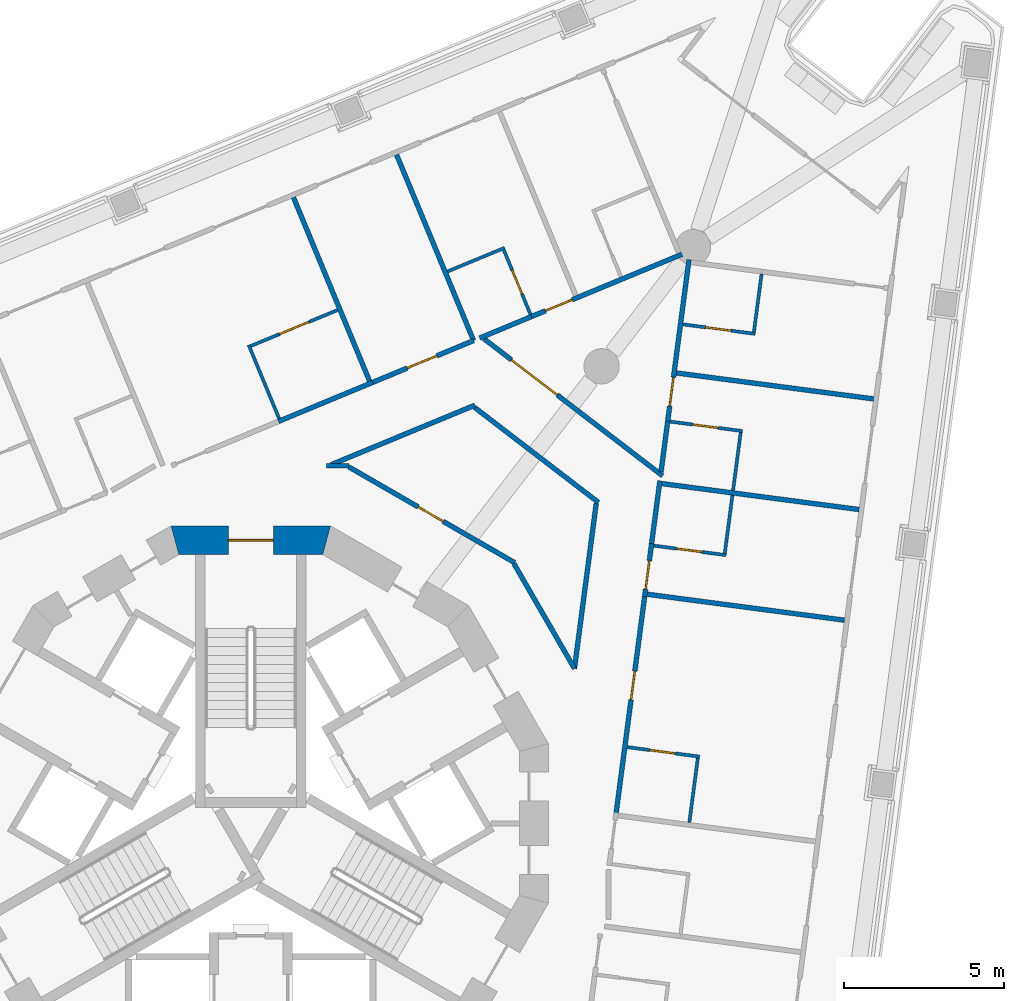
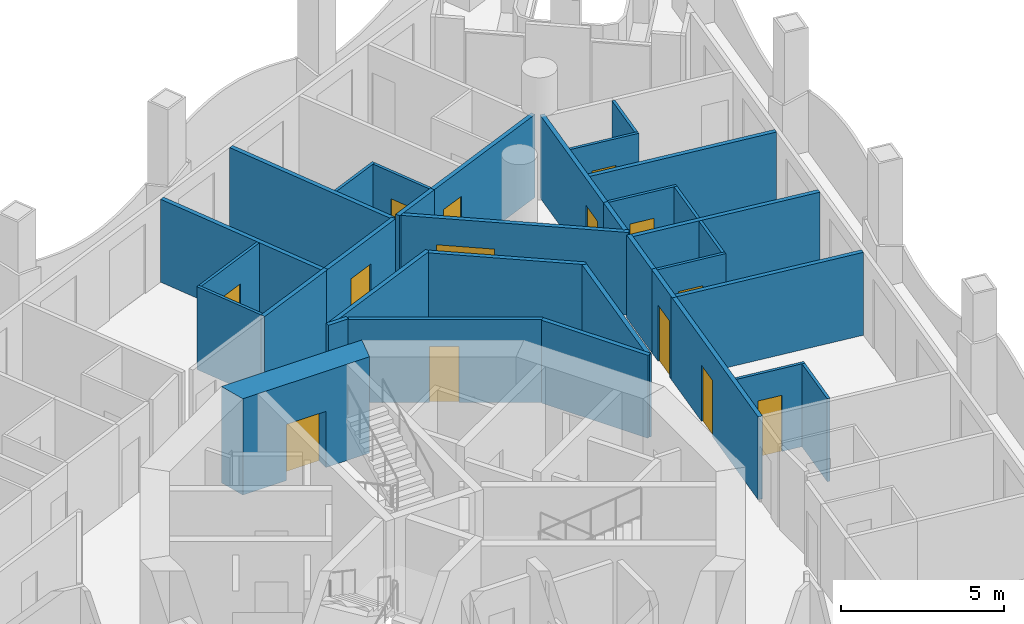
# One storey, part 9 of 17: 34 walls, 14 doors, 14 openings.
"""IFC4 building model written with IfcOpenShell, lengths in metres."""

from ifc_helpers import new_model, si_unit, direction, frame, frame_2d, origin, place, context, subcontext, project, spatial, polyline, rectangle, outline, extrude, material, layer, layer_set, type_object, element, fill, save


model = new_model("IFC4")

# Units and contexts
model_context = context("Model", 3, precision=1e-05, world=origin(), true_north=direction((0.0, 1.0)))
body_context = subcontext(model_context, "Body", "Model", "MODEL_VIEW")
ifc_project = project(units=[si_unit("LENGTHUNIT", "METRE"), si_unit("AREAUNIT", "SQUARE_METRE"), si_unit("VOLUMEUNIT", "CUBIC_METRE"), si_unit("PLANEANGLEUNIT", "RADIAN"), si_unit("MASSUNIT", "GRAM", prefix="KILO")], contexts=[model_context])

# Site, building, storey
site_placement = place(None, origin())
site = spatial("IfcSite", under=ifc_project, at=site_placement, CompositionType="ELEMENT")
building_placement = place(site_placement, origin())
building = spatial("IfcBuilding", under=site, at=building_placement, Name="Trine Commons Tower", CompositionType="ELEMENT")
storey_placement = place(building_placement, frame((0.0, 0.0, 153.0)))
storey = spatial("IfcBuildingStorey", under=building, at=storey_placement, Name="L39", CompositionType="ELEMENT", Elevation=153.0)

# Wall, opening, door
ifc_material_1 = material(Name="Concrete C70/85", Category="concrete")
ifc_layer_1 = layer(ifc_material_1, 0.89990234375)
ifc_layer_set_1 = layer_set([ifc_layer_1], Name="Concrete C70/85")
wall_type_1 = type_object("IfcWallType", Name="RC shear wall 900 mm, C70/85", PredefinedType="SHEAR", material=ifc_layer_set_1)
wall_1_placement = place(storey_placement, frame((82.484619140625, 71.322998046875, 0.0), z_axis=(0.0, 0.0, 1.0), x_axis=(-1.0, 0.0, 0.0)))
wall_1 = element("IfcWall", 1, at=wall_1_placement, inside=storey, type_object=wall_type_1, Name="Core wall CWD-04 L39", PredefinedType="SHEAR", context=body_context, shape_type="SweptSolid", body=[
    extrude(outline(polyline([(0.0, -0.449951171875), (4.969482421875, -0.449951171875), (4.728271484375, 0.449951171875), (0.2412109375, 0.449951171875), (0.0, -0.449951171875)])), origin(), (0.0, 0.0, 1.0), 3.60009765625),
])
opening_1_placement = place(wall_1_placement, frame((1.78466796875, 0.0, 0.0)))
opening_1 = element("IfcOpeningElement", 2, at=opening_1_placement, cuts=wall_1, Name="Opening K10.01", PredefinedType="OPENING", context=body_context, shape_type="SweptSolid", body=[
    extrude(rectangle(XDim=1.39990234375, YDim=2.10009765625, at=frame_2d((0.699951171875, 1.050048828125))), frame((0.0, 0.4599609375, 0.0), z_axis=(0.0, -1.0, 0.0), x_axis=(1.0, 0.0, 0.0)), (0.0, 0.0, 1.0), 0.919921875),
])
ifc_material_2 = material(Name="Steel door leaves, fire-rated", Category="steel")
door_type_1 = type_object("IfcDoorType", Name="Stair door, double leaf 1400 x 2100, FD90", OperationType="DOUBLE_DOOR_SINGLE_SWING", PredefinedType="DOOR", material=ifc_material_2)
door_1_placement = place(opening_1_placement, origin())
door_1 = element("IfcDoor", 3, at=door_1_placement, inside=storey, type_object=door_type_1, Name="Stair door to Exit stair ST1B L39", OperationType="DOUBLE_DOOR_SINGLE_SWING", OverallHeight=2.10009765625, OverallWidth=1.39990234375, PredefinedType="DOOR", context=body_context, shape_type="SweptSolid", body=[
    extrude(rectangle(XDim=1.39990234375, YDim=2.10009765625, at=frame_2d((0.699951171875, 1.050048828125))), frame((0.0, 0.02490234375, 0.0), z_axis=(0.0, -1.0, 0.0), x_axis=(1.0, 0.0, 0.0)), (0.0, 0.0, 1.0), 0.050048828125),
])
fill(opening_1, door_1)

# Walls
ifc_material_3 = material(Name="Gypsum plasterboard on steel stud", Category="steel")
ifc_layer_2 = layer(ifc_material_3, 0.14990234375)
ifc_layer_set_2 = layer_set([ifc_layer_2], Name="Gypsum plasterboard on steel stud")
wall_type_2 = type_object("IfcWallType", Name="Unit and corridor wall 150 mm, EI 60", PredefinedType="PARTITIONING", material=ifc_layer_set_2)
wall_2_placement = place(storey_placement, frame((80.86181640625, 75.02685546875, 0.0), z_axis=(0.0, 0.0, 1.0), x_axis=(0.923792409305, 0.382893698709, 0.0)))
element("IfcWall", 4, at=wall_2_placement, inside=storey, type_object=wall_type_2, Name="Partition 075", PredefinedType="PARTITIONING", context=body_context, shape_type="SweptSolid", body=[
    extrude(rectangle(XDim=3.18310546875, YDim=0.14990234375, at=frame_2d((1.591552734375, 0.0))), origin(), (0.0, 0.0, 1.0), 3.10009765625),
])
wall_3_placement = place(storey_placement, frame((81.329345703125, 82.007080078125, 0.0), z_axis=(0.0, 0.0, 1.0), x_axis=(0.382731197273, -0.923859746192, 0.0)))
element("IfcWall", 5, at=wall_3_placement, inside=storey, type_object=wall_type_2, Name="Partition 076", PredefinedType="PARTITIONING", context=body_context, shape_type="SweptSolid", body=[
    extrude(rectangle(XDim=6.194580078125, YDim=0.14990234375, at=frame_2d((3.09716796875, 0.0))), origin(), (0.0, 0.0, 1.0), 3.10009765625),
])
wall_4_placement = place(storey_placement, frame((82.35205078125, 73.64794921875, 0.0), z_axis=(0.0, 0.0, 1.0), x_axis=(1.0, 0.0, 0.0)))
element("IfcWall", 6, at=wall_4_placement, inside=storey, type_object=wall_type_2, Name="Partition 080", PredefinedType="PARTITIONING", context=body_context, shape_type="SweptSolid", body=[
    extrude(rectangle(XDim=0.7099609375, YDim=0.14990234375, at=frame_2d((0.35498046875, 0.0))), origin(), (0.0, 0.0, 1.0), 3.10009765625),
])
wall_5_placement = place(storey_placement, frame((82.500244140625, 73.6767578125, 0.0), z_axis=(0.0, 0.0, 1.0), x_axis=(0.923900404771, 0.382633038384, 0.0)))
element("IfcWall", 7, at=wall_5_placement, inside=storey, type_object=wall_type_2, Name="Partition 081", PredefinedType="PARTITIONING", context=body_context, shape_type="SweptSolid", body=[
    extrude(rectangle(XDim=4.855712890625, YDim=0.14990234375, at=frame_2d((2.427734375, 0.0))), origin(), (0.0, 0.0, 1.0), 3.10009765625),
])

# Wall, opening, door
wall_6_placement = place(storey_placement, frame((83.052001953125, 73.610595703125, 0.0), z_axis=(0.0, 0.0, 1.0), x_axis=(0.866039280689, -0.499975963725, 0.0)))
wall_6 = element("IfcWall", 8, at=wall_6_placement, inside=storey, type_object=wall_type_2, Name="Partition 084", PredefinedType="PARTITIONING", context=body_context, shape_type="SweptSolid", body=[
    extrude(rectangle(XDim=5.974365234375, YDim=0.14990234375, at=frame_2d((2.9873046875, 0.0))), origin(), (0.0, 0.0, 1.0), 3.10009765625),
])
opening_2_placement = place(wall_6_placement, frame((2.499755859375, 0.0, 0.0)))
opening_2 = element("IfcOpeningElement", 9, at=opening_2_placement, cuts=wall_6, Name="Opening D-4C34", PredefinedType="OPENING", context=body_context, shape_type="SweptSolid", body=[
    extrude(rectangle(XDim=0.89990234375, YDim=2.10009765625, at=frame_2d((0.449951171875, 1.050048828125))), frame((0.0, 0.0849609375, 0.0), z_axis=(0.0, -1.0, 0.0), x_axis=(1.0, 0.0, 0.0)), (0.0, 0.0, 1.0), 0.169921875),
])
ifc_material_4 = material(Name="Timber fire door set", Category="wood")
door_type_2 = type_object("IfcDoorType", Name="Service door 900 x 2100, FD30S", OperationType="NOTDEFINED", PredefinedType="DOOR", material=ifc_material_4)
door_2_placement = place(opening_2_placement, origin())
door_2 = element("IfcDoor", 10, at=door_2_placement, inside=storey, type_object=door_type_2, Name="Door D-4C34", OperationType="SINGLE_SWING_LEFT", OverallHeight=2.10009765625, OverallWidth=0.89990234375, PredefinedType="DOOR", context=body_context, shape_type="SweptSolid", body=[
    extrude(rectangle(XDim=0.89990234375, YDim=2.10009765625, at=frame_2d((0.449951171875, 1.050048828125))), frame((0.0, 0.02490234375, 0.0), z_axis=(0.0, -1.0, 0.0), x_axis=(1.0, 0.0, 0.0)), (0.0, 0.0, 1.0), 0.050048828125),
])
fill(opening_2, door_2)

wall_7_placement = place(storey_placement, frame((83.72509765625, 76.212890625, 0.0), z_axis=(0.0, 0.0, 1.0), x_axis=(0.923773530594, 0.382939243449, 0.0)))
wall_7 = element("IfcWall", 11, at=wall_7_placement, inside=storey, type_object=wall_type_2, Name="Partition 087", PredefinedType="PARTITIONING", context=body_context, shape_type="SweptSolid", body=[
    extrude(rectangle(XDim=3.48681640625, YDim=0.14990234375, at=frame_2d((1.743408203125, 0.0))), origin(), (0.0, 0.0, 1.0), 3.10009765625),
])
opening_3_placement = place(wall_7_placement, frame((1.243408203125, 0.0, 0.0)))
opening_3 = element("IfcOpeningElement", 12, at=opening_3_placement, cuts=wall_7, Name="Opening D-4C11", PredefinedType="OPENING", context=body_context, shape_type="SweptSolid", body=[
    extrude(rectangle(XDim=1.0, YDim=2.10009765625, at=frame_2d((0.5, 1.050048828125))), frame((0.0, 0.0849609375, 0.0), z_axis=(0.0, -1.0, 0.0), x_axis=(1.0, 0.0, 0.0)), (0.0, 0.0, 1.0), 0.169921875),
])
ifc_material_5 = material(Name="Painted timber", Category="wood")
door_type_3 = type_object("IfcDoorType", Name="Amenity room door 1000 x 2100, NOT RATED", OperationType="NOTDEFINED", PredefinedType="DOOR", material=ifc_material_5)
door_3_placement = place(opening_3_placement, origin())
door_3 = element("IfcDoor", 13, at=door_3_placement, inside=storey, type_object=door_type_3, Name="Door D-4C11", OperationType="SINGLE_SWING_LEFT", OverallHeight=2.10009765625, OverallWidth=1.0, PredefinedType="DOOR", context=body_context, shape_type="SweptSolid", body=[
    extrude(rectangle(XDim=1.0, YDim=2.10009765625, at=frame_2d((0.5, 1.050048828125))), frame((0.0, 0.02490234375, 0.0), z_axis=(0.0, -1.0, 0.0), x_axis=(1.0, 0.0, 0.0)), (0.0, 0.0, 1.0), 0.050048828125),
])
fill(opening_3, door_3)

# Walls
wall_8_placement = place(storey_placement, frame((84.542236328125, 83.337890625, 0.0), z_axis=(0.0, 0.0, 1.0), x_axis=(0.382756471404, -0.923849275368, 0.0)))
element("IfcWall", 14, at=wall_8_placement, inside=storey, type_object=wall_type_2, Name="Partition 091", PredefinedType="PARTITIONING", context=body_context, shape_type="SweptSolid", body=[
    extrude(rectangle(XDim=6.26953125, YDim=0.14990234375, at=frame_2d((3.134765625, 0.0))), origin(), (0.0, 0.0, 1.0), 3.10009765625),
])
wall_9_placement = place(storey_placement, frame((86.9765625, 75.46044921875, 0.0), z_axis=(0.0, 0.0, 1.0), x_axis=(0.79343006196, -0.608661430335, 0.0)))
element("IfcWall", 15, at=wall_9_placement, inside=storey, type_object=wall_type_2, Name="Partition 095", PredefinedType="PARTITIONING", context=body_context, shape_type="SweptSolid", body=[
    extrude(rectangle(XDim=4.85986328125, YDim=0.14990234375, at=frame_2d((2.429931640625, 0.0))), origin(), (0.0, 0.0, 1.0), 3.10009765625),
])
wall_10_placement = place(storey_placement, frame((87.130615234375, 77.624267578125, 0.0), z_axis=(0.0, 0.0, 1.0), x_axis=(0.923855258764, 0.382742029118, 0.0)))
element("IfcWall", 16, at=wall_10_placement, inside=storey, type_object=wall_type_2, Name="Partition 096", PredefinedType="PARTITIONING", context=body_context, shape_type="SweptSolid", body=[
    extrude(rectangle(XDim=1.749755859375, YDim=0.14990234375, at=frame_2d((0.875, 0.0))), origin(), (0.0, 0.0, 1.0), 3.10009765625),
])

# Wall, opening, door
wall_11_placement = place(storey_placement, frame((87.259521484375, 77.607421875, 0.0), z_axis=(0.0, 0.0, 1.0), x_axis=(0.79336631803, -0.608744515718, 0.0)))
wall_11 = element("IfcWall", 17, at=wall_11_placement, inside=storey, type_object=wall_type_2, Name="Partition 097", PredefinedType="PARTITIONING", context=body_context, shape_type="SweptSolid", body=[
    extrude(rectangle(XDim=7.0244140625, YDim=0.14990234375, at=frame_2d((3.51220703125, 0.0))), origin(), (0.0, 0.0, 1.0), 3.10009765625),
])
opening_4_placement = place(wall_11_placement, frame((1.086181640625, 0.0, 0.0)))
opening_4 = element("IfcOpeningElement", 18, at=opening_4_placement, cuts=wall_11, Name="Opening D-4C01", PredefinedType="OPENING", context=body_context, shape_type="SweptSolid", body=[
    extrude(rectangle(XDim=1.800048828125, YDim=2.10009765625, at=frame_2d((0.89990234375, 1.050048828125))), frame((0.0, 0.0849609375, 0.0), z_axis=(0.0, -1.0, 0.0), x_axis=(1.0, 0.0, 0.0)), (0.0, 0.0, 1.0), 0.169921875),
])
door_type_4 = type_object("IfcDoorType", Name="Cluster entrance door 1800 x 2100, double leaf, FD30S", OperationType="DOUBLE_DOOR_DOUBLE_SWING", PredefinedType="DOOR", material=ifc_material_4)
door_4_placement = place(opening_4_placement, origin())
door_4 = element("IfcDoor", 19, at=door_4_placement, inside=storey, type_object=door_type_4, Name="Door D-4C01", OperationType="DOUBLE_DOOR_DOUBLE_SWING", OverallHeight=2.10009765625, OverallWidth=1.800048828125, PredefinedType="DOOR", context=body_context, shape_type="SweptSolid", body=[
    extrude(rectangle(XDim=1.800048828125, YDim=2.10009765625, at=frame_2d((0.89990234375, 1.050048828125))), frame((0.0, 0.02490234375, 0.0), z_axis=(0.0, -1.0, 0.0), x_axis=(1.0, 0.0, 0.0)), (0.0, 0.0, 1.0), 0.050048828125),
])
fill(opening_4, door_4)

# Wall
wall_12_placement = place(storey_placement, frame((88.198486328125, 70.595947265625, 0.0), z_axis=(0.0, 0.0, 1.0), x_axis=(0.499871635049, -0.86609950264, 0.0)))
element("IfcWall", 20, at=wall_12_placement, inside=storey, type_object=wall_type_2, Name="Partition 104", PredefinedType="PARTITIONING", context=body_context, shape_type="SweptSolid", body=[
    extrude(rectangle(XDim=3.77783203125, YDim=0.14990234375, at=frame_2d((1.888916015625, 0.0))), origin(), (0.0, 0.0, 1.0), 3.10009765625),
])

# Wall, opening, door
wall_13_placement = place(storey_placement, frame((88.69287109375, 78.27197265625, 0.0), z_axis=(0.0, 0.0, 1.0), x_axis=(0.92395946552, 0.382490399978, 0.0)))
wall_13 = element("IfcWall", 21, at=wall_13_placement, inside=storey, type_object=wall_type_2, Name="Partition 108", PredefinedType="PARTITIONING", context=body_context, shape_type="SweptSolid", body=[
    extrude(rectangle(XDim=5.1337890625, YDim=0.14990234375, at=frame_2d((2.56689453125, 0.0))), origin(), (0.0, 0.0, 1.0), 3.10009765625),
])
opening_5_placement = place(wall_13_placement, frame((0.531494140625, 0.0, 0.0)))
opening_5 = element("IfcOpeningElement", 22, at=opening_5_placement, cuts=wall_13, Name="Opening D-4C12", PredefinedType="OPENING", context=body_context, shape_type="SweptSolid", body=[
    extrude(rectangle(XDim=0.89990234375, YDim=2.10009765625, at=frame_2d((0.449951171875, 1.050048828125))), frame((0.0, 0.0849609375, 0.0), z_axis=(0.0, -1.0, 0.0), x_axis=(1.0, 0.0, 0.0)), (0.0, 0.0, 1.0), 0.169921875),
])
door_type_5 = type_object("IfcDoorType", Name="Bedroom door 900 x 2100, FD30S", OperationType="NOTDEFINED", PredefinedType="DOOR", material=ifc_material_4)
door_5_placement = place(opening_5_placement, origin())
door_5 = element("IfcDoor", 23, at=door_5_placement, inside=storey, type_object=door_type_5, Name="Door D-4C12", OperationType="SINGLE_SWING_LEFT", OverallHeight=2.10009765625, OverallWidth=0.89990234375, PredefinedType="DOOR", context=body_context, shape_type="SweptSolid", body=[
    extrude(rectangle(XDim=0.89990234375, YDim=2.10009765625, at=frame_2d((0.449951171875, 1.050048828125))), frame((0.0, 0.02490234375, 0.0), z_axis=(0.0, -1.0, 0.0), x_axis=(1.0, 0.0, 0.0)), (0.0, 0.0, 1.0), 0.050048828125),
])
fill(opening_5, door_5)

# Wall
wall_14_placement = place(storey_placement, frame((90.0849609375, 67.326904296875, 0.0), z_axis=(0.0, 0.0, 1.0), x_axis=(0.130647942506, 0.991428825039, 0.0)))
element("IfcWall", 24, at=wall_14_placement, inside=storey, type_object=wall_type_2, Name="Partition 115", PredefinedType="PARTITIONING", context=body_context, shape_type="SweptSolid", body=[
    extrude(rectangle(XDim=5.191162109375, YDim=0.14990234375, at=frame_2d((2.595703125, 0.0))), origin(), (0.0, 0.0, 1.0), 3.10009765625),
])

# Wall, opening, door
wall_15_placement = place(storey_placement, frame((91.3740234375, 62.751953125, 0.0), z_axis=(0.0, 0.0, 1.0), x_axis=(0.130544309052, 0.991442476079, 0.0)))
wall_15 = element("IfcWall", 25, at=wall_15_placement, inside=storey, type_object=wall_type_2, Name="Partition 127", PredefinedType="PARTITIONING", context=body_context, shape_type="SweptSolid", body=[
    extrude(rectangle(XDim=6.962646484375, YDim=0.14990234375, at=frame_2d((3.4814453125, 0.0))), origin(), (0.0, 0.0, 1.0), 3.10009765625),
])
opening_6_placement = place(wall_15_placement, frame((3.6318359375, 0.0, 0.0)))
opening_6 = element("IfcOpeningElement", 26, at=opening_6_placement, cuts=wall_15, Name="Opening D-4C17", PredefinedType="OPENING", context=body_context, shape_type="SweptSolid", body=[
    extrude(rectangle(XDim=0.89990234375, YDim=2.10009765625, at=frame_2d((0.449951171875, 1.050048828125))), frame((0.0, 0.0849609375, 0.0), z_axis=(0.0, -1.0, 0.0), x_axis=(1.0, 0.0, 0.0)), (0.0, 0.0, 1.0), 0.169921875),
])
door_6_placement = place(opening_6_placement, frame((0.89990234375, 0.0, 0.0), z_axis=(0.0, 0.0, 1.0), x_axis=(-1.0, 0.0, 0.0)))
door_6 = element("IfcDoor", 27, at=door_6_placement, inside=storey, type_object=door_type_5, Name="Door D-4C17", OperationType="SINGLE_SWING_LEFT", OverallHeight=2.10009765625, OverallWidth=0.89990234375, PredefinedType="DOOR", context=body_context, shape_type="SweptSolid", body=[
    extrude(rectangle(XDim=0.89990234375, YDim=2.10009765625, at=frame_2d((0.449951171875, 1.050048828125))), frame((0.0, 0.02490234375, 0.0), z_axis=(0.0, -1.0, 0.0), x_axis=(1.0, 0.0, 0.0)), (0.0, 0.0, 1.0), 0.050048828125),
])
fill(opening_6, door_6)

wall_16_placement = place(storey_placement, frame((92.272216796875, 69.572509765625, 0.0), z_axis=(0.0, 0.0, 1.0), x_axis=(0.130218790516, 0.991485283096, 0.0)))
wall_16 = element("IfcWall", 28, at=wall_16_placement, inside=storey, type_object=wall_type_2, Name="Partition 131", PredefinedType="PARTITIONING", context=body_context, shape_type="SweptSolid", body=[
    extrude(rectangle(XDim=1.6611328125, YDim=0.14990234375, at=frame_2d((0.83056640625, 0.0))), origin(), (0.0, 0.0, 1.0), 3.10009765625),
])
opening_7_placement = place(wall_16_placement, frame((0.22900390625, 0.0, 0.0)))
opening_7 = element("IfcOpeningElement", 29, at=opening_7_placement, cuts=wall_16, Name="Opening D-4C16", PredefinedType="OPENING", context=body_context, shape_type="SweptSolid", body=[
    extrude(rectangle(XDim=0.89990234375, YDim=2.10009765625, at=frame_2d((0.449951171875, 1.050048828125))), frame((0.0, 0.0849609375, 0.0), z_axis=(0.0, -1.0, 0.0), x_axis=(1.0, 0.0, 0.0)), (0.0, 0.0, 1.0), 0.169921875),
])
door_7_placement = place(opening_7_placement, frame((0.89990234375, 0.0, 0.0), z_axis=(0.0, 0.0, 1.0), x_axis=(-1.0, 0.0, 0.0)))
door_7 = element("IfcDoor", 30, at=door_7_placement, inside=storey, type_object=door_type_5, Name="Door D-4C16", OperationType="SINGLE_SWING_RIGHT", OverallHeight=2.10009765625, OverallWidth=0.89990234375, PredefinedType="DOOR", context=body_context, shape_type="SweptSolid", body=[
    extrude(rectangle(XDim=0.89990234375, YDim=2.10009765625, at=frame_2d((0.449951171875, 1.050048828125))), frame((0.0, 0.02490234375, 0.0), z_axis=(0.0, -1.0, 0.0), x_axis=(1.0, 0.0, 0.0)), (0.0, 0.0, 1.0), 0.050048828125),
])
fill(opening_7, door_7)

# Walls
wall_17_placement = place(storey_placement, frame((92.357421875, 69.64111328125, 0.0), z_axis=(0.0, 0.0, 1.0), x_axis=(0.991457381012, -0.130431060858, 0.0)))
element("IfcWall", 31, at=wall_17_placement, inside=storey, type_object=wall_type_2, Name="Partition 132", PredefinedType="PARTITIONING", context=body_context, shape_type="SweptSolid", body=[
    extrude(rectangle(XDim=6.19384765625, YDim=0.14990234375, at=frame_2d((3.096923828125, 0.0))), origin(), (0.0, 0.0, 1.0), 3.10009765625),
])
wall_18_placement = place(storey_placement, frame((92.48095703125, 71.162109375, 0.0), z_axis=(0.0, 0.0, 1.0), x_axis=(0.130786921313, 0.991410500859, 0.0)))
element("IfcWall", 32, at=wall_18_placement, inside=storey, type_object=wall_type_2, Name="Partition 133", PredefinedType="PARTITIONING", context=body_context, shape_type="SweptSolid", body=[
    extrude(rectangle(XDim=2.032958984375, YDim=0.14990234375, at=frame_2d((1.0166015625, 0.0))), origin(), (0.0, 0.0, 1.0), 3.10009765625),
])
wall_19_placement = place(storey_placement, frame((92.811279296875, 73.089111328125, 0.0), z_axis=(0.0, 0.0, 1.0), x_axis=(0.991458051546, -0.130425963766, 0.0)))
element("IfcWall", 33, at=wall_19_placement, inside=storey, type_object=wall_type_2, Name="Partition 136", PredefinedType="PARTITIONING", context=body_context, shape_type="SweptSolid", body=[
    extrude(rectangle(XDim=6.194091796875, YDim=0.14990234375, at=frame_2d((3.09716796875, 0.0))), origin(), (0.0, 0.0, 1.0), 3.10009765625),
])
wall_20_placement = place(storey_placement, frame((92.78271484375, 73.451416015625, 0.0), z_axis=(0.0, 0.0, 1.0), x_axis=(0.130312245432, 0.991473004519, 0.0)))
element("IfcWall", 34, at=wall_20_placement, inside=storey, type_object=wall_type_2, Name="Partition 139", PredefinedType="PARTITIONING", context=body_context, shape_type="SweptSolid", body=[
    extrude(rectangle(XDim=1.59814453125, YDim=0.14990234375, at=frame_2d((0.799072265625, 0.0))), origin(), (0.0, 0.0, 1.0), 3.10009765625),
])

# Wall, opening, door
wall_21_placement = place(storey_placement, frame((92.9833984375, 74.978515625, 0.0), z_axis=(0.0, 0.0, 1.0), x_axis=(0.130587368937, 0.991436805386, 0.0)))
wall_21 = element("IfcWall", 35, at=wall_21_placement, inside=storey, type_object=wall_type_2, Name="Partition 140", PredefinedType="PARTITIONING", context=body_context, shape_type="SweptSolid", body=[
    extrude(rectangle(XDim=5.1337890625, YDim=0.14990234375, at=frame_2d((2.56689453125, 0.0))), origin(), (0.0, 0.0, 1.0), 3.10009765625),
])
opening_8_placement = place(wall_21_placement, frame((0.531982421875, 0.0, 0.0)))
opening_8 = element("IfcOpeningElement", 36, at=opening_8_placement, cuts=wall_21, Name="Opening D-4C15", PredefinedType="OPENING", context=body_context, shape_type="SweptSolid", body=[
    extrude(rectangle(XDim=0.89990234375, YDim=2.10009765625, at=frame_2d((0.449951171875, 1.050048828125))), frame((0.0, 0.0849609375, 0.0), z_axis=(0.0, -1.0, 0.0), x_axis=(1.0, 0.0, 0.0)), (0.0, 0.0, 1.0), 0.169921875),
])
door_8_placement = place(opening_8_placement, frame((0.89990234375, 0.0, 0.0), z_axis=(0.0, 0.0, 1.0), x_axis=(-1.0, 0.0, 0.0)))
door_8 = element("IfcDoor", 37, at=door_8_placement, inside=storey, type_object=door_type_5, Name="Door D-4C15", OperationType="SINGLE_SWING_RIGHT", OverallHeight=2.10009765625, OverallWidth=0.89990234375, PredefinedType="DOOR", context=body_context, shape_type="SweptSolid", body=[
    extrude(rectangle(XDim=0.89990234375, YDim=2.10009765625, at=frame_2d((0.449951171875, 1.050048828125))), frame((0.0, 0.02490234375, 0.0), z_axis=(0.0, -1.0, 0.0), x_axis=(1.0, 0.0, 0.0)), (0.0, 0.0, 1.0), 0.050048828125),
])
fill(opening_8, door_8)

# Walls
wall_22_placement = place(storey_placement, frame((93.264404296875, 76.537109375, 0.0), z_axis=(0.0, 0.0, 1.0), x_axis=(0.991439668145, -0.130565632649, 0.0)))
element("IfcWall", 38, at=wall_22_placement, inside=storey, type_object=wall_type_2, Name="Partition 142", PredefinedType="PARTITIONING", context=body_context, shape_type="SweptSolid", body=[
    extrude(rectangle(XDim=6.19482421875, YDim=0.14990234375, at=frame_2d((3.097412109375, 0.0))), origin(), (0.0, 0.0, 1.0), 3.10009765625),
])
ifc_layer_3 = layer(ifc_material_3, 0.10009765625)
ifc_layer_set_3 = layer_set([ifc_layer_3], Name="Gypsum plasterboard on steel stud")
wall_type_3 = type_object("IfcWallType", Name="Unit partition 100 mm, no rating", PredefinedType="PARTITIONING", material=ifc_layer_set_3)
wall_23_placement = place(storey_placement, frame((79.934814453125, 77.404296875, 0.0), z_axis=(0.0, 0.0, 1.0), x_axis=(0.382737922871, -0.923856959922, 0.0)))
element("IfcWall", 39, at=wall_23_placement, inside=storey, type_object=wall_type_3, Name="Partition 072", PredefinedType="PARTITIONING", context=body_context, shape_type="SweptSolid", body=[
    extrude(rectangle(XDim=2.4755859375, YDim=0.10009765625, at=frame_2d((1.23779296875, 0.0))), origin(), (0.0, 0.0, 1.0), 3.10009765625),
])

# Wall, opening, door
wall_24_placement = place(storey_placement, frame((80.000244140625, 77.377197265625, 0.0), z_axis=(0.0, 0.0, 1.0), x_axis=(0.923906972489, 0.382617179681, 0.0)))
wall_24 = element("IfcWall", 40, at=wall_24_placement, inside=storey, type_object=wall_type_3, Name="Partition 073", PredefinedType="PARTITIONING", context=body_context, shape_type="SweptSolid", body=[
    extrude(rectangle(XDim=2.925048828125, YDim=0.10009765625, at=frame_2d((1.46240234375, 0.0))), origin(), (0.0, 0.0, 1.0), 3.10009765625),
])
opening_9_placement = place(wall_24_placement, frame((0.962646484375, 0.0, 0.0)))
opening_9 = element("IfcOpeningElement", 41, at=opening_9_placement, cuts=wall_24, Name="Opening D-4C43", PredefinedType="OPENING", context=body_context, shape_type="SweptSolid", body=[
    extrude(rectangle(XDim=1.0, YDim=2.10009765625, at=frame_2d((0.5, 1.050048828125))), frame((0.0, 0.06005859375, 0.0), z_axis=(0.0, -1.0, 0.0), x_axis=(1.0, 0.0, 0.0)), (0.0, 0.0, 1.0), 0.1201171875),
])
door_type_6 = type_object("IfcDoorType", Name="Internal door 1000 x 2100, NOT RATED", OperationType="NOTDEFINED", PredefinedType="DOOR", material=ifc_material_5)
door_9_placement = place(opening_9_placement, origin())
door_9 = element("IfcDoor", 42, at=door_9_placement, inside=storey, type_object=door_type_6, Name="Door D-4C43", OperationType="SINGLE_SWING_RIGHT", OverallHeight=2.10009765625, OverallWidth=1.0, PredefinedType="DOOR", context=body_context, shape_type="SweptSolid", body=[
    extrude(rectangle(XDim=1.0, YDim=2.10009765625, at=frame_2d((0.5, 1.050048828125))), frame((0.0, 0.02490234375, 0.0), z_axis=(0.0, -1.0, 0.0), x_axis=(1.0, 0.0, 0.0)), (0.0, 0.0, 1.0), 0.050048828125),
])
fill(opening_9, door_9)

# Wall
wall_25_placement = place(storey_placement, frame((86.13037109375, 79.69970703125, 0.0), z_axis=(0.0, 0.0, 1.0), x_axis=(0.923967386518, 0.38247126513, 0.0)))
element("IfcWall", 43, at=wall_25_placement, inside=storey, type_object=wall_type_3, Name="Partition 094", PredefinedType="PARTITIONING", context=body_context, shape_type="SweptSolid", body=[
    extrude(rectangle(XDim=1.92529296875, YDim=0.10009765625, at=frame_2d((0.962646484375, 0.0))), origin(), (0.0, 0.0, 1.0), 3.10009765625),
])

# Wall, opening, door
wall_26_placement = place(storey_placement, frame((87.882080078125, 80.370849609375, 0.0), z_axis=(0.0, 0.0, 1.0), x_axis=(0.382645891508, -0.92389508155, 0.0)))
wall_26 = element("IfcWall", 44, at=wall_26_placement, inside=storey, type_object=wall_type_3, Name="Partition 102", PredefinedType="PARTITIONING", context=body_context, shape_type="SweptSolid", body=[
    extrude(rectangle(XDim=2.175048828125, YDim=0.10009765625, at=frame_2d((1.08740234375, 0.0))), origin(), (0.0, 0.0, 1.0), 3.10009765625),
])
opening_10_placement = place(wall_26_placement, frame((0.6875, 0.0, 0.0)))
opening_10 = element("IfcOpeningElement", 45, at=opening_10_placement, cuts=wall_26, Name="Opening D-4C44", PredefinedType="OPENING", context=body_context, shape_type="SweptSolid", body=[
    extrude(rectangle(XDim=0.800048828125, YDim=2.10009765625, at=frame_2d((0.39990234375, 1.050048828125))), frame((0.0, 0.06005859375, 0.0), z_axis=(0.0, -1.0, 0.0), x_axis=(1.0, 0.0, 0.0)), (0.0, 0.0, 1.0), 0.1201171875),
])
door_type_7 = type_object("IfcDoorType", Name="Internal door 800 x 2100, NOT RATED", OperationType="NOTDEFINED", PredefinedType="DOOR", material=ifc_material_5)
door_10_placement = place(opening_10_placement, origin())
door_10 = element("IfcDoor", 46, at=door_10_placement, inside=storey, type_object=door_type_7, Name="Door D-4C44", OperationType="SINGLE_SWING_RIGHT", OverallHeight=2.10009765625, OverallWidth=0.800048828125, PredefinedType="DOOR", context=body_context, shape_type="SweptSolid", body=[
    extrude(rectangle(XDim=0.800048828125, YDim=2.10009765625, at=frame_2d((0.39990234375, 1.050048828125))), frame((0.0, 0.02490234375, 0.0), z_axis=(0.0, -1.0, 0.0), x_axis=(1.0, 0.0, 0.0)), (0.0, 0.0, 1.0), 0.050048828125),
])
fill(opening_10, door_10)

wall_27_placement = place(storey_placement, frame((91.7294921875, 64.878173828125, 0.0), z_axis=(0.0, 0.0, 1.0), x_axis=(0.991411518653, -0.130779205848, 0.0)))
wall_27 = element("IfcWall", 47, at=wall_27_placement, inside=storey, type_object=wall_type_3, Name="Partition 130", PredefinedType="PARTITIONING", context=body_context, shape_type="SweptSolid", body=[
    extrude(rectangle(XDim=2.275634765625, YDim=0.10009765625, at=frame_2d((1.1376953125, 0.0))), origin(), (0.0, 0.0, 1.0), 3.10009765625),
])
opening_11_placement = place(wall_27_placement, frame((0.712890625, 0.0, 0.0)))
opening_11 = element("IfcOpeningElement", 48, at=opening_11_placement, cuts=wall_27, Name="Opening D-4C49", PredefinedType="OPENING", context=body_context, shape_type="SweptSolid", body=[
    extrude(rectangle(XDim=0.800048828125, YDim=2.10009765625, at=frame_2d((0.39990234375, 1.050048828125))), frame((0.0, 0.06005859375, 0.0), z_axis=(0.0, -1.0, 0.0), x_axis=(1.0, 0.0, 0.0)), (0.0, 0.0, 1.0), 0.1201171875),
])
door_11_placement = place(opening_11_placement, origin())
door_11 = element("IfcDoor", 49, at=door_11_placement, inside=storey, type_object=door_type_7, Name="Door D-4C49", OperationType="SINGLE_SWING_LEFT", OverallHeight=2.10009765625, OverallWidth=0.800048828125, PredefinedType="DOOR", context=body_context, shape_type="SweptSolid", body=[
    extrude(rectangle(XDim=0.800048828125, YDim=2.10009765625, at=frame_2d((0.39990234375, 1.050048828125))), frame((0.0, 0.02490234375, 0.0), z_axis=(0.0, -1.0, 0.0), x_axis=(1.0, 0.0, 0.0)), (0.0, 0.0, 1.0), 0.050048828125),
])
fill(opening_11, door_11)

wall_28_placement = place(storey_placement, frame((92.556396484375, 71.15625, 0.0), z_axis=(0.0, 0.0, 1.0), x_axis=(0.991459774706, -0.130412864162, 0.0)))
wall_28 = element("IfcWall", 50, at=wall_28_placement, inside=storey, type_object=wall_type_3, Name="Partition 134", PredefinedType="PARTITIONING", context=body_context, shape_type="SweptSolid", body=[
    extrude(rectangle(XDim=2.274658203125, YDim=0.10009765625, at=frame_2d((1.13720703125, 0.0))), origin(), (0.0, 0.0, 1.0), 3.10009765625),
])
opening_12_placement = place(wall_28_placement, frame((0.71240234375, 0.0, 0.0)))
opening_12 = element("IfcOpeningElement", 51, at=opening_12_placement, cuts=wall_28, Name="Opening D-4C48", PredefinedType="OPENING", context=body_context, shape_type="SweptSolid", body=[
    extrude(rectangle(XDim=0.800048828125, YDim=2.10009765625, at=frame_2d((0.39990234375, 1.050048828125))), frame((0.0, 0.06005859375, 0.0), z_axis=(0.0, -1.0, 0.0), x_axis=(1.0, 0.0, 0.0)), (0.0, 0.0, 1.0), 0.1201171875),
])
door_12_placement = place(opening_12_placement, frame((0.800048828125, 0.0, 0.0), z_axis=(0.0, 0.0, 1.0), x_axis=(-1.0, 0.0, 0.0)))
door_12 = element("IfcDoor", 52, at=door_12_placement, inside=storey, type_object=door_type_7, Name="Door D-4C48", OperationType="SINGLE_SWING_RIGHT", OverallHeight=2.10009765625, OverallWidth=0.800048828125, PredefinedType="DOOR", context=body_context, shape_type="SweptSolid", body=[
    extrude(rectangle(XDim=0.800048828125, YDim=2.10009765625, at=frame_2d((0.39990234375, 1.050048828125))), frame((0.0, 0.02490234375, 0.0), z_axis=(0.0, -1.0, 0.0), x_axis=(1.0, 0.0, 0.0)), (0.0, 0.0, 1.0), 0.050048828125),
])
fill(opening_12, door_12)

wall_29_placement = place(storey_placement, frame((93.0654296875, 75.022216796875, 0.0), z_axis=(0.0, 0.0, 1.0), x_axis=(0.991459774706, -0.130412864162, 0.0)))
wall_29 = element("IfcWall", 53, at=wall_29_placement, inside=storey, type_object=wall_type_3, Name="Partition 141", PredefinedType="PARTITIONING", context=body_context, shape_type="SweptSolid", body=[
    extrude(rectangle(XDim=2.274658203125, YDim=0.10009765625, at=frame_2d((1.13720703125, 0.0))), origin(), (0.0, 0.0, 1.0), 3.10009765625),
])
opening_13_placement = place(wall_29_placement, frame((0.71240234375, 0.0, 0.0)))
opening_13 = element("IfcOpeningElement", 54, at=opening_13_placement, cuts=wall_29, Name="Opening D-4C47", PredefinedType="OPENING", context=body_context, shape_type="SweptSolid", body=[
    extrude(rectangle(XDim=0.800048828125, YDim=2.10009765625, at=frame_2d((0.39990234375, 1.050048828125))), frame((0.0, 0.06005859375, 0.0), z_axis=(0.0, -1.0, 0.0), x_axis=(1.0, 0.0, 0.0)), (0.0, 0.0, 1.0), 0.1201171875),
])
door_13_placement = place(opening_13_placement, origin())
door_13 = element("IfcDoor", 55, at=door_13_placement, inside=storey, type_object=door_type_7, Name="Door D-4C47", OperationType="SINGLE_SWING_LEFT", OverallHeight=2.10009765625, OverallWidth=0.800048828125, PredefinedType="DOOR", context=body_context, shape_type="SweptSolid", body=[
    extrude(rectangle(XDim=0.800048828125, YDim=2.10009765625, at=frame_2d((0.39990234375, 1.050048828125))), frame((0.0, 0.02490234375, 0.0), z_axis=(0.0, -1.0, 0.0), x_axis=(1.0, 0.0, 0.0)), (0.0, 0.0, 1.0), 0.050048828125),
])
fill(opening_13, door_13)

wall_30_placement = place(storey_placement, frame((93.46435546875, 78.05126953125, 0.0), z_axis=(0.0, 0.0, 1.0), x_axis=(0.991445890878, -0.130518372124, 0.0)))
wall_30 = element("IfcWall", 56, at=wall_30_placement, inside=storey, type_object=wall_type_3, Name="Partition 145", PredefinedType="PARTITIONING", context=body_context, shape_type="SweptSolid", body=[
    extrude(rectangle(XDim=2.274658203125, YDim=0.10009765625, at=frame_2d((1.13720703125, 0.0))), origin(), (0.0, 0.0, 1.0), 3.10009765625),
])
opening_14_placement = place(wall_30_placement, frame((0.71240234375, 0.0, 0.0)))
opening_14 = element("IfcOpeningElement", 57, at=opening_14_placement, cuts=wall_30, Name="Opening D-4C46", PredefinedType="OPENING", context=body_context, shape_type="SweptSolid", body=[
    extrude(rectangle(XDim=0.800048828125, YDim=2.10009765625, at=frame_2d((0.39990234375, 1.050048828125))), frame((0.0, 0.06005859375, 0.0), z_axis=(0.0, -1.0, 0.0), x_axis=(1.0, 0.0, 0.0)), (0.0, 0.0, 1.0), 0.1201171875),
])
door_14_placement = place(opening_14_placement, frame((0.800048828125, 0.0, 0.0), z_axis=(0.0, 0.0, 1.0), x_axis=(-1.0, 0.0, 0.0)))
door_14 = element("IfcDoor", 58, at=door_14_placement, inside=storey, type_object=door_type_7, Name="Door D-4C46", OperationType="SINGLE_SWING_RIGHT", OverallHeight=2.10009765625, OverallWidth=0.800048828125, PredefinedType="DOOR", context=body_context, shape_type="SweptSolid", body=[
    extrude(rectangle(XDim=0.800048828125, YDim=2.10009765625, at=frame_2d((0.39990234375, 1.050048828125))), frame((0.0, 0.02490234375, 0.0), z_axis=(0.0, -1.0, 0.0), x_axis=(1.0, 0.0, 0.0)), (0.0, 0.0, 1.0), 0.050048828125),
])
fill(opening_14, door_14)

# Walls
wall_31_placement = place(storey_placement, frame((93.664794921875, 62.530517578125, 0.0), z_axis=(0.0, 0.0, 1.0), x_axis=(0.130741541504, 0.991416486309, 0.0)))
element("IfcWall", 59, at=wall_31_placement, inside=storey, type_object=wall_type_3, Name="Partition 147", PredefinedType="PARTITIONING", context=body_context, shape_type="SweptSolid", body=[
    extrude(rectangle(XDim=2.024169921875, YDim=0.10009765625, at=frame_2d((1.01220703125, 0.0))), origin(), (0.0, 0.0, 1.0), 3.10009765625),
])
for number, where, z_axis, x_axis, name in (
    (60, (94.7685546875, 70.91552734375, 0.0), (0.0, 0.0, 1.0), (0.130717543687, 0.991419650689, 0.0), "Partition 148"),
    (61, (95.02685546875, 72.873291015625, 0.0), (0.0, 0.0, 1.0), (0.130191453907, 0.991488873024, 0.0), "Partition 149"),
    (62, (95.676513671875, 77.810546875, 0.0), (0.0, 0.0, 1.0), (0.130849048899, 0.991402303004, 0.0), "Partition 150"),
):
    element("IfcWall", number, at=place(storey_placement, frame(where, z_axis=z_axis, x_axis=x_axis)), inside=storey, type_object=wall_type_3, Name=name, PredefinedType="PARTITIONING", context=body_context, shape_type="SweptSolid", body=[
        extrude(rectangle(XDim=1.82470703125, YDim=0.10009765625, at=frame_2d((0.912353515625, 0.0))), origin(), (0.0, 0.0, 1.0), 3.10009765625),
    ])

save(model, "model.ifc")
